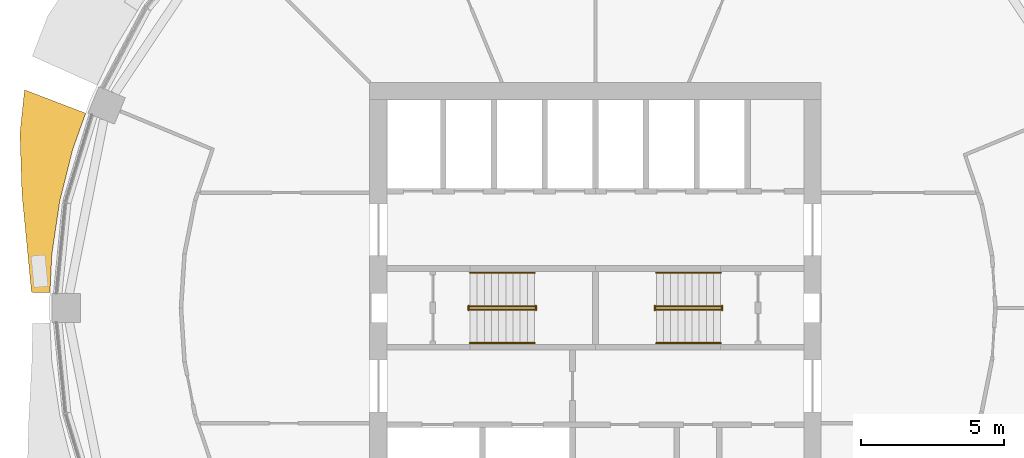
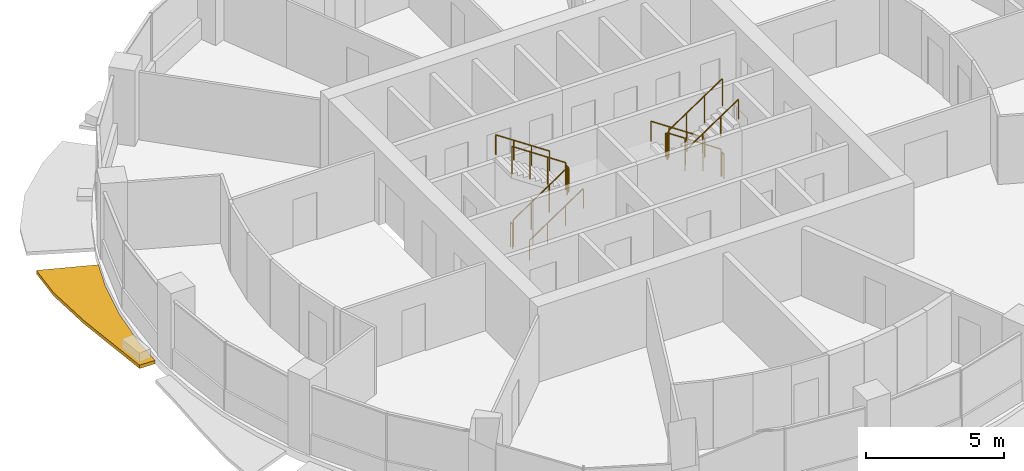
# One storey, part 13 of 15: 12 railings, 1 shading device.
"""IFC4 building model written with IfcOpenShell, lengths in metres."""

from ifc_helpers import new_model, si_unit, direction, frame, origin, origin_2d, place, context, subcontext, project, spatial, polyline, circle, outline, extrude, material, type_object, element, save


model = new_model("IFC4")

# Units and contexts
model_context = context("Model", 3, precision=1e-05, world=origin(), true_north=direction((0.0, 1.0)))
body_context = subcontext(model_context, "Body", "Model", "MODEL_VIEW")
ifc_project = project(units=[si_unit("LENGTHUNIT", "METRE"), si_unit("AREAUNIT", "SQUARE_METRE"), si_unit("VOLUMEUNIT", "CUBIC_METRE"), si_unit("PLANEANGLEUNIT", "RADIAN"), si_unit("MASSUNIT", "GRAM", prefix="KILO")], contexts=[model_context])

# Site, building, storey
site_placement = place(None, origin())
site = spatial("IfcSite", under=ifc_project, at=site_placement, CompositionType="ELEMENT")
building_placement = place(site_placement, origin())
building = spatial("IfcBuilding", under=site, at=building_placement, Name="Polderwave Tower", CompositionType="ELEMENT")
storey_placement = place(building_placement, frame((0.0, 0.0, 127.64990234375)))
storey = spatial("IfcBuildingStorey", under=building, at=storey_placement, Name="L33", CompositionType="ELEMENT", Elevation=127.64990234375)

# Railings
ifc_material_1 = material(Name="Stainless steel", Category="steel")
railing_type_1 = type_object("IfcRailingType", Name="Stair guard 1100", PredefinedType="GUARDRAIL", material=ifc_material_1)
railing_1_placement = place(storey_placement, frame((-4.3740234375, -0.051025390625, 0.04736328125)))
element("IfcRailing", 1, at=railing_1_placement, inside=storey, type_object=railing_type_1, Name="L33 ST-A stair guard 1", PredefinedType="GUARDRAIL", context=body_context, shape_type="SweptSolid", body=[
    extrude(circle(Radius=0.02392578125, at=origin_2d()), frame((0.0, 0.0, 1.1962890625), z_axis=(0.830758306289, 0.0, 0.556633305266), x_axis=(0.0, 1.0, 0.0)), (0.0, 0.0, 1.0), 2.708251953125),
    extrude(circle(Radius=0.02392578125, at=origin_2d()), origin(), (0.0, 0.0, 1.0), 1.172119140625),
    extrude(circle(Radius=0.02392578125, at=origin_2d()), frame((0.75, 0.0, 0.50244140625)), (0.0, 0.0, 1.0), 1.172119140625),
    extrude(circle(Radius=0.02392578125, at=origin_2d()), frame((1.5, 0.0, 1.005126953125)), (0.0, 0.0, 1.0), 1.172119140625),
    extrude(circle(Radius=0.02392578125, at=origin_2d()), frame((2.25, 0.0, 1.507568359375)), (0.0, 0.0, 1.0), 1.172119140625),
])
railing_2_placement = place(storey_placement, frame((-2.073974609375, -0.074951171875, 1.675048828125)))
element("IfcRailing", 2, at=railing_2_placement, inside=storey, type_object=railing_type_1, Name="L33 ST-A stair guard 2", PredefinedType="GUARDRAIL", context=body_context, shape_type="SweptSolid", body=[
    extrude(circle(Radius=0.02392578125, at=origin_2d()), frame((0.0, 0.0, 1.076171875), z_axis=(0.0, 1.0, 0.0), x_axis=(-1.0, 0.0, 0.0)), (0.0, 0.0, 1.0), 0.14990234375),
    extrude(circle(Radius=0.02099609375, at=origin_2d()), origin(), (0.0, 0.0, 1.0), 1.052001953125),
    extrude(circle(Radius=0.02099609375, at=origin_2d()), frame((0.0, 0.14990234375, 0.0)), (0.0, 0.0, 1.0), 1.052001953125),
])
railing_3_placement = place(storey_placement, frame((-2.1240234375, 0.051025390625, 1.722412109375)))
element("IfcRailing", 3, at=railing_3_placement, inside=storey, type_object=railing_type_1, Name="L33 ST-A stair guard 3", PredefinedType="GUARDRAIL", context=body_context, shape_type="SweptSolid", body=[
    extrude(circle(Radius=0.02392578125, at=origin_2d()), frame((0.0, 0.0, 1.1962890625), z_axis=(-0.830758306289, 0.0, 0.556633305266), x_axis=(0.0, -1.0, 0.0)), (0.0, 0.0, 1.0), 2.708251953125),
    extrude(circle(Radius=0.02392578125, at=origin_2d()), origin(), (0.0, 0.0, 1.0), 1.172119140625),
    extrude(circle(Radius=0.02392578125, at=origin_2d()), frame((-0.75, 0.0, 0.50244140625)), (0.0, 0.0, 1.0), 1.172119140625),
    extrude(circle(Radius=0.02392578125, at=origin_2d()), frame((-1.5, 0.0, 1.005126953125)), (0.0, 0.0, 1.0), 1.172119140625),
    extrude(circle(Radius=0.02392578125, at=origin_2d()), frame((-2.25, 0.0, 1.507568359375)), (0.0, 0.0, 1.0), 1.172119140625),
])
railing_4_placement = place(storey_placement, frame((-4.424072265625, -0.074951171875, 0.0)))
element("IfcRailing", 4, at=railing_4_placement, inside=storey, type_object=railing_type_1, Name="L33 ST-A stair guard 4", PredefinedType="GUARDRAIL", context=body_context, shape_type="SweptSolid", body=[
    extrude(circle(Radius=0.02392578125, at=origin_2d()), frame((0.0, 0.0, 1.076171875), z_axis=(0.0, 1.0, 0.0), x_axis=(-1.0, 0.0, 0.0)), (0.0, 0.0, 1.0), 0.14990234375),
    extrude(circle(Radius=0.02099609375, at=origin_2d()), origin(), (0.0, 0.0, 1.0), 1.052001953125),
    extrude(circle(Radius=0.02099609375, at=origin_2d()), frame((0.0, 0.14990234375, 0.0)), (0.0, 0.0, 1.0), 1.052001953125),
])
railing_5_placement = place(storey_placement, frame((4.3740234375, 0.051025390625, 0.04736328125)))
element("IfcRailing", 5, at=railing_5_placement, inside=storey, type_object=railing_type_1, Name="L33 ST-B stair guard 1", PredefinedType="GUARDRAIL", context=body_context, shape_type="SweptSolid", body=[
    extrude(circle(Radius=0.02392578125, at=origin_2d()), frame((0.0, 0.0, 1.1962890625), z_axis=(-0.830758306289, 0.0, 0.556633305266), x_axis=(0.0, -1.0, 0.0)), (0.0, 0.0, 1.0), 2.708251953125),
    extrude(circle(Radius=0.02392578125, at=origin_2d()), origin(), (0.0, 0.0, 1.0), 1.172119140625),
    extrude(circle(Radius=0.02392578125, at=origin_2d()), frame((-0.75, 0.0, 0.50244140625)), (0.0, 0.0, 1.0), 1.172119140625),
    extrude(circle(Radius=0.02392578125, at=origin_2d()), frame((-1.5, 0.0, 1.005126953125)), (0.0, 0.0, 1.0), 1.172119140625),
    extrude(circle(Radius=0.02392578125, at=origin_2d()), frame((-2.25, 0.0, 1.507568359375)), (0.0, 0.0, 1.0), 1.172119140625),
])
railing_6_placement = place(storey_placement, frame((2.073974609375, 0.074951171875, 1.675048828125)))
element("IfcRailing", 6, at=railing_6_placement, inside=storey, type_object=railing_type_1, Name="L33 ST-B stair guard 2", PredefinedType="GUARDRAIL", context=body_context, shape_type="SweptSolid", body=[
    extrude(circle(Radius=0.02392578125, at=origin_2d()), frame((0.0, 0.0, 1.076171875), z_axis=(0.0, -1.0, 0.0), x_axis=(1.0, 0.0, 0.0)), (0.0, 0.0, 1.0), 0.14990234375),
    extrude(circle(Radius=0.02099609375, at=origin_2d()), origin(), (0.0, 0.0, 1.0), 1.052001953125),
    extrude(circle(Radius=0.02099609375, at=origin_2d()), frame((0.0, -0.14990234375, 0.0)), (0.0, 0.0, 1.0), 1.052001953125),
])
railing_7_placement = place(storey_placement, frame((2.1240234375, -0.051025390625, 1.722412109375)))
element("IfcRailing", 7, at=railing_7_placement, inside=storey, type_object=railing_type_1, Name="L33 ST-B stair guard 3", PredefinedType="GUARDRAIL", context=body_context, shape_type="SweptSolid", body=[
    extrude(circle(Radius=0.02392578125, at=origin_2d()), frame((0.0, 0.0, 1.1962890625), z_axis=(0.830758306289, 0.0, 0.556633305266), x_axis=(0.0, 1.0, 0.0)), (0.0, 0.0, 1.0), 2.708251953125),
    extrude(circle(Radius=0.02392578125, at=origin_2d()), origin(), (0.0, 0.0, 1.0), 1.172119140625),
    extrude(circle(Radius=0.02392578125, at=origin_2d()), frame((0.75, 0.0, 0.50244140625)), (0.0, 0.0, 1.0), 1.172119140625),
    extrude(circle(Radius=0.02392578125, at=origin_2d()), frame((1.5, 0.0, 1.005126953125)), (0.0, 0.0, 1.0), 1.172119140625),
    extrude(circle(Radius=0.02392578125, at=origin_2d()), frame((2.25, 0.0, 1.507568359375)), (0.0, 0.0, 1.0), 1.172119140625),
])
railing_8_placement = place(storey_placement, frame((4.424072265625, 0.074951171875, 0.0)))
element("IfcRailing", 8, at=railing_8_placement, inside=storey, type_object=railing_type_1, Name="L33 ST-B stair guard 4", PredefinedType="GUARDRAIL", context=body_context, shape_type="SweptSolid", body=[
    extrude(circle(Radius=0.02392578125, at=origin_2d()), frame((0.0, 0.0, 1.076171875), z_axis=(0.0, -1.0, 0.0), x_axis=(1.0, 0.0, 0.0)), (0.0, 0.0, 1.0), 0.14990234375),
    extrude(circle(Radius=0.02099609375, at=origin_2d()), origin(), (0.0, 0.0, 1.0), 1.052001953125),
    extrude(circle(Radius=0.02099609375, at=origin_2d()), frame((0.0, -0.14990234375, 0.0)), (0.0, 0.0, 1.0), 1.052001953125),
])
railing_type_2 = type_object("IfcRailingType", Name="Stair handrail 900", PredefinedType="HANDRAIL", material=ifc_material_1)
railing_9_placement = place(storey_placement, frame((-4.3740234375, -1.22509765625, 0.16748046875)))
element("IfcRailing", 9, at=railing_9_placement, inside=storey, type_object=railing_type_2, Name="L33 ST-A stair handrail 1", PredefinedType="HANDRAIL", context=body_context, shape_type="SweptSolid", body=[
    extrude(circle(Radius=0.02392578125, at=origin_2d()), frame((0.0, 0.0, 0.8759765625), z_axis=(0.830758306289, 0.0, 0.556633305266), x_axis=(0.0, 1.0, 0.0)), (0.0, 0.0, 1.0), 2.708251953125),
    extrude(circle(Radius=0.02099609375, at=origin_2d()), origin(), (0.0, 0.0, 1.0), 0.851806640625),
    extrude(circle(Radius=0.02099609375, at=origin_2d()), frame((0.75, 0.0, 0.50244140625)), (0.0, 0.0, 1.0), 0.851806640625),
    extrude(circle(Radius=0.02099609375, at=origin_2d()), frame((1.5, 0.0, 1.005126953125)), (0.0, 0.0, 1.0), 0.851806640625),
    extrude(circle(Radius=0.02099609375, at=origin_2d()), frame((2.25, 0.0, 1.507568359375)), (0.0, 0.0, 1.0), 0.851806640625),
])
for number, where, name in (
    (10, (-2.1240234375, 1.22509765625, 1.842529296875), "L33 ST-A stair handrail 2"),
    (11, (4.3740234375, 1.22509765625, 0.16748046875), "L33 ST-B stair handrail 1"),
):
    element("IfcRailing", number, at=place(storey_placement, frame(where)), inside=storey, type_object=railing_type_2, Name=name, PredefinedType="HANDRAIL", context=body_context, shape_type="SweptSolid", body=[
        extrude(circle(Radius=0.02392578125, at=origin_2d()), frame((0.0, 0.0, 0.8759765625), z_axis=(-0.830758306289, 0.0, 0.556633305266), x_axis=(0.0, -1.0, 0.0)), (0.0, 0.0, 1.0), 2.708251953125),
        extrude(circle(Radius=0.02099609375, at=origin_2d()), origin(), (0.0, 0.0, 1.0), 0.851806640625),
        extrude(circle(Radius=0.02099609375, at=origin_2d()), frame((-0.75, 0.0, 0.50244140625)), (0.0, 0.0, 1.0), 0.851806640625),
        extrude(circle(Radius=0.02099609375, at=origin_2d()), frame((-1.5, 0.0, 1.005126953125)), (0.0, 0.0, 1.0), 0.851806640625),
        extrude(circle(Radius=0.02099609375, at=origin_2d()), frame((-2.25, 0.0, 1.507568359375)), (0.0, 0.0, 1.0), 0.851806640625),
    ])
railing_10_placement = place(storey_placement, frame((2.1240234375, -1.22509765625, 1.842529296875)))
element("IfcRailing", 12, at=railing_10_placement, inside=storey, type_object=railing_type_2, Name="L33 ST-B stair handrail 2", PredefinedType="HANDRAIL", context=body_context, shape_type="SweptSolid", body=[
    extrude(circle(Radius=0.02392578125, at=origin_2d()), frame((0.0, 0.0, 0.8759765625), z_axis=(0.830758306289, 0.0, 0.556633305266), x_axis=(0.0, 1.0, 0.0)), (0.0, 0.0, 1.0), 2.708251953125),
    extrude(circle(Radius=0.02099609375, at=origin_2d()), origin(), (0.0, 0.0, 1.0), 0.851806640625),
    extrude(circle(Radius=0.02099609375, at=origin_2d()), frame((0.75, 0.0, 0.50244140625)), (0.0, 0.0, 1.0), 0.851806640625),
    extrude(circle(Radius=0.02099609375, at=origin_2d()), frame((1.5, 0.0, 1.005126953125)), (0.0, 0.0, 1.0), 0.851806640625),
    extrude(circle(Radius=0.02099609375, at=origin_2d()), frame((2.25, 0.0, 1.507568359375)), (0.0, 0.0, 1.0), 0.851806640625),
])

# Shading device
ifc_material_2 = material(Name="Terracotta", Category="masonry")
shading_device_type = type_object("IfcShadingDeviceType", Name="Terracotta sunshade band", PredefinedType="USERDEFINED", material=ifc_material_2)
shading_device_placement = place(storey_placement, frame((0.0, 0.0, -0.349853515625)))
element("IfcShadingDevice", 13, at=shading_device_placement, inside=storey, type_object=shading_device_type, Name="Sunshade band L33 8", ObjectType="SUNSHADE", PredefinedType="USERDEFINED", context=body_context, shape_type="SweptSolid", body=[
    extrude(outline(polyline([(-17.787841796875, 6.79443359375), (-18.2392578125, 5.53271484375), (-18.69384765625, 3.718505859375), (-18.96826171875, 1.8681640625), (-19.033935546875, 0.52978515625), (-19.677734375, 0.5478515625), (-19.812255859375, 1.951416015625), (-20.009033203125, 3.97998046875), (-20.077880859375, 6.090576171875), (-19.918701171875, 7.6083984375), (-17.787841796875, 6.79443359375)])), origin(), (0.0, 0.0, 1.0), 0.14990234375),
])

save(model, "model.ifc")
